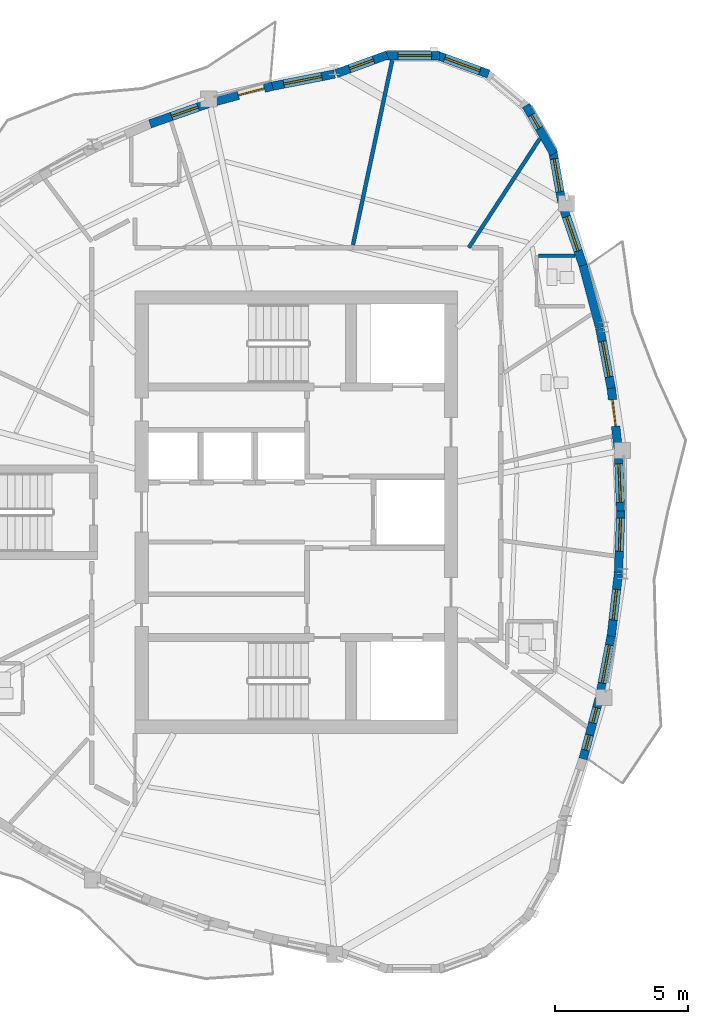
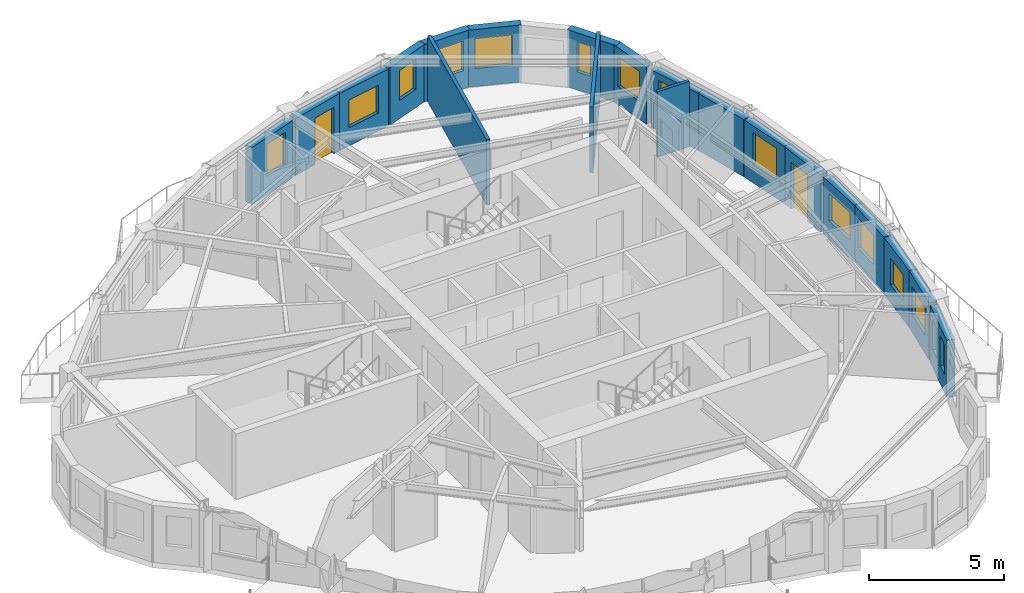
# One storey, part 7 of 12: 20 walls, 15 windows, 2 doors, 17 openings.
"""IFC4 building model written with IfcOpenShell, lengths in metres."""

from ifc_helpers import new_model, si_unit, direction, frame, frame_2d, origin, place, context, subcontext, project, spatial, rectangle, extrude, source, transform, mapped, material, layer, layer_set, type_object, element, fill, save


model = new_model("IFC4")

# Units and contexts
model_context = context("Model", 3, precision=1e-05, world=origin(), true_north=direction((0.0, 1.0)))
body_context = subcontext(model_context, "Body", "Model", "MODEL_VIEW")
ifc_project = project(units=[si_unit("LENGTHUNIT", "METRE"), si_unit("AREAUNIT", "SQUARE_METRE"), si_unit("VOLUMEUNIT", "CUBIC_METRE"), si_unit("PLANEANGLEUNIT", "RADIAN"), si_unit("MASSUNIT", "GRAM", prefix="KILO")], contexts=[model_context])

# Site, building, storey
site_placement = place(None, origin())
site = spatial("IfcSite", under=ifc_project, at=site_placement, CompositionType="ELEMENT")
building_placement = place(site_placement, origin())
building = spatial("IfcBuilding", under=site, at=building_placement, Name="Qafzar Sky-Pleat Residences", CompositionType="ELEMENT")
storey_placement = place(building_placement, frame((0.0, 0.0, 198.800048828125)))
storey = spatial("IfcBuildingStorey", under=building, at=storey_placement, Name="L59", CompositionType="ELEMENT", Elevation=198.800048828125)

# Walls
ifc_material_1 = material(Name="Acoustic gypsum plasterboard partition", Category="gypsum")
ifc_layer_1 = layer(ifc_material_1, 0.14501953125)
ifc_layer_set_1 = layer_set([ifc_layer_1], Name="Acoustic gypsum plasterboard partition")
wall_type_1 = type_object("IfcWallType", Name="PART-UNIT-145", PredefinedType="PARTITIONING", material=ifc_layer_set_1)
wall_1_placement = place(storey_placement, frame((32.477783203125, 36.02294921875, 0.0), z_axis=(0.0, 0.0, 1.0), x_axis=(0.207795571792, 0.978172275391, 0.0)))
element("IfcWall", 1, at=wall_1_placement, inside=storey, type_object=wall_type_1, Name="L59 Partition Wall PART-L59-PW-018", PredefinedType="PARTITIONING", context=body_context, shape_type="SweptSolid", body=[
    extrude(rectangle(XDim=7.070556640625, YDim=0.14501953125, at=frame_2d((3.53515625, 0.0))), origin(), (0.0, 0.0, 1.0), 2.9599609375),
])
wall_2_placement = place(storey_placement, frame((36.820068359375, 35.919921875, 0.0), z_axis=(0.0, 0.0, 1.0), x_axis=(0.546222005159, 0.83764044857, 0.0)))
element("IfcWall", 2, at=wall_2_placement, inside=storey, type_object=wall_type_1, Name="L59 Partition Wall PART-L59-PW-020", PredefinedType="PARTITIONING", context=body_context, shape_type="SweptSolid", body=[
    extrude(rectangle(XDim=4.880859375, YDim=0.14501953125, at=frame_2d((2.4404296875, 0.0))), origin(), (0.0, 0.0, 1.0), 2.9599609375),
])
ifc_material_2 = material(Name="Moisture-resistant gypsum partition", Category="gypsum")
ifc_layer_2 = layer(ifc_material_2, 0.1298828125)
ifc_layer_set_2 = layer_set([ifc_layer_2], Name="Moisture-resistant gypsum partition")
wall_type_2 = type_object("IfcWallType", Name="PART-WET-130", PredefinedType="PARTITIONING", material=ifc_layer_set_2)
wall_3_placement = place(storey_placement, frame((39.43701171875, 35.616943359375, 0.0), z_axis=(0.0, 0.0, 1.0), x_axis=(1.0, 0.0, 0.0)))
element("IfcWall", 3, at=wall_3_placement, inside=storey, type_object=wall_type_2, Name="L59 Partition Wall PART-L59-PW-043", PredefinedType="PARTITIONING", context=body_context, shape_type="SweptSolid", body=[
    extrude(rectangle(XDim=1.36083984375, YDim=0.1298828125, at=frame_2d((0.680419921875, 0.0))), origin(), (0.0, 0.0, 1.0), 2.9599609375),
])

# Wall, openings, windows
ifc_material_3 = material(Name="Precast concrete C40/50 with honed Riyadh limestone", Category="concrete")
ifc_layer_3 = layer(ifc_material_3, 0.320068359375)
ifc_layer_set_3 = layer_set([ifc_layer_3], Name="Precast concrete C40/50 with honed Riyadh limestone")
wall_type_3 = type_object("IfcWallType", Name="WALL-EXT-320", PredefinedType="SOLIDWALL", material=ifc_layer_set_3)
wall_4_placement = place(storey_placement, frame((41.10693359375, 16.748291015625, 0.0), z_axis=(0.0, 0.0, 1.0), x_axis=(0.257000958827, 0.966411148095, 0.0)))
wall_4 = element("IfcWall", 4, at=wall_4_placement, inside=storey, type_object=wall_type_3, Name="L59 Limestone Facade Wall 24", PredefinedType="SOLIDWALL", context=body_context, shape_type="SweptSolid", body=[
    extrude(rectangle(XDim=2.342529296875, YDim=0.320068359375, at=frame_2d((1.17138671875, 0.0))), origin(), (0.0, 0.0, 1.0), 2.579833984375),
])
opening_1_placement = place(wall_4_placement, frame((0.343017578125, 0.0, 0.820068359375)))
opening_1 = element("IfcOpeningElement", 5, at=opening_1_placement, cuts=wall_4, Name="Opening WN-17", PredefinedType="OPENING", context=body_context, shape_type="SweptSolid", body=[
    extrude(rectangle(XDim=0.580078125, YDim=1.35009765625, at=frame_2d((0.2900390625, 0.675048828125))), frame((0.0, 0.169921875, 0.0), z_axis=(0.0, -1.0, 0.0), x_axis=(1.0, 0.0, 0.0)), (0.0, 0.0, 1.0), 0.340087890625),
])
opening_2_placement = place(wall_4_placement, frame((1.3994140625, 0.0, 0.820068359375)))
opening_2 = element("IfcOpeningElement", 6, at=opening_2_placement, cuts=wall_4, Name="Opening WN-17", PredefinedType="OPENING", context=body_context, shape_type="SweptSolid", body=[
    extrude(rectangle(XDim=0.580078125, YDim=1.35009765625, at=frame_2d((0.2900390625, 0.675048828125))), frame((0.0, 0.169921875, 0.0), z_axis=(0.0, -1.0, 0.0), x_axis=(1.0, 0.0, 0.0)), (0.0, 0.0, 1.0), 0.340087890625),
])
ifc_material_4 = material(Name="Solar-control low-E glass in bronze aluminium frame", Category="glass")
window_type_1 = type_object("IfcWindowType", Name="WIN-17", PartitioningType="SINGLE_PANEL", PredefinedType="WINDOW", material=ifc_material_4)
shared_shape_1 = source(origin(), body_context, "Body", "SweptSolid", [
    extrude(rectangle(XDim=0.580078125, YDim=1.35009765625, at=frame_2d((0.2900390625, 0.675048828125))), frame((0.0, 0.030029296875, 0.0), z_axis=(0.0, -1.0, 0.0), x_axis=(1.0, 0.0, 0.0)), (0.0, 0.0, 1.0), 0.06005859375),
])
window_1_placement = place(opening_1_placement, origin())
window_1 = element("IfcWindow", 7, at=window_1_placement, inside=storey, type_object=window_type_1, Name="L59 Punched Facade Window 24", OverallHeight=1.35009765625, OverallWidth=0.580078125, PartitioningType="SINGLE_PANEL", PredefinedType="WINDOW", context=body_context, shape_type="MappedRepresentation", body=[
    mapped(shared_shape_1, transform((0.0, 0.0, 0.0), x_axis=(1.0, 0.0, 0.0), y_axis=(0.0, 1.0, 0.0), z_axis=(0.0, 0.0, 1.0), scale=1.0)),
])
fill(opening_1, window_1)
window_2_placement = place(opening_2_placement, origin())
window_2 = element("IfcWindow", 8, at=window_2_placement, inside=storey, type_object=window_type_1, Name="L59 Punched Facade Window 24-2", OverallHeight=1.35009765625, OverallWidth=0.580078125, PartitioningType="SINGLE_PANEL", PredefinedType="WINDOW", context=body_context, shape_type="MappedRepresentation", body=[
    mapped(shared_shape_1, transform((0.0, 0.0, 0.0), x_axis=(1.0, 0.0, 0.0), y_axis=(0.0, 1.0, 0.0), z_axis=(0.0, 0.0, 1.0), scale=1.0)),
])
fill(opening_2, window_2)

# Wall, opening, window
wall_5_placement = place(storey_placement, frame((41.74658203125, 19.17626953125, 0.0), z_axis=(0.0, 0.0, 1.0), x_axis=(0.186649393072, 0.982426589657, 0.0)))
wall_5 = element("IfcWall", 9, at=wall_5_placement, inside=storey, type_object=wall_type_3, Name="L59 Limestone Facade Wall 25", PredefinedType="SOLIDWALL", context=body_context, shape_type="SweptSolid", body=[
    extrude(rectangle(XDim=2.303466796875, YDim=0.320068359375, at=frame_2d((1.15185546875, 0.0))), origin(), (0.0, 0.0, 1.0), 2.579833984375),
])
opening_3_placement = place(wall_5_placement, frame((0.421875, 0.0, 0.820068359375)))
opening_3 = element("IfcOpeningElement", 10, at=opening_3_placement, cuts=wall_5, Name="Opening WN-15", PredefinedType="OPENING", context=body_context, shape_type="SweptSolid", body=[
    extrude(rectangle(XDim=1.449951171875, YDim=1.25, at=frame_2d((0.72509765625, 0.625))), frame((0.0, 0.169921875, 0.0), z_axis=(0.0, -1.0, 0.0), x_axis=(1.0, 0.0, 0.0)), (0.0, 0.0, 1.0), 0.340087890625),
])
window_type_2 = type_object("IfcWindowType", Name="WIN-15", PartitioningType="SINGLE_PANEL", PredefinedType="WINDOW", material=ifc_material_4)
shared_shape_2 = source(origin(), body_context, "Body", "SweptSolid", [
    extrude(rectangle(XDim=1.449951171875, YDim=1.25, at=frame_2d((0.72509765625, 0.625))), frame((0.0, 0.030029296875, 0.0), z_axis=(0.0, -1.0, 0.0), x_axis=(1.0, 0.0, 0.0)), (0.0, 0.0, 1.0), 0.06005859375),
])
window_3_placement = place(opening_3_placement, origin())
window_3 = element("IfcWindow", 11, at=window_3_placement, inside=storey, type_object=window_type_2, Name="L59 Punched Facade Window 25", OverallHeight=1.25, OverallWidth=1.449951171875, PartitioningType="SINGLE_PANEL", PredefinedType="WINDOW", context=body_context, shape_type="MappedRepresentation", body=[
    mapped(shared_shape_2, transform((0.0, 0.0, 0.0), x_axis=(1.0, 0.0, 0.0), y_axis=(0.0, 1.0, 0.0), z_axis=(0.0, 0.0, 1.0), scale=1.0)),
])
fill(opening_3, window_3)

wall_6_placement = place(storey_placement, frame((42.163330078125, 21.352294921875, 0.0), z_axis=(0.0, 0.0, 1.0), x_axis=(0.113273764078, 0.993563814947, 0.0)))
wall_6 = element("IfcWall", 12, at=wall_6_placement, inside=storey, type_object=wall_type_3, Name="L59 Limestone Facade Wall 26", PredefinedType="SOLIDWALL", context=body_context, shape_type="SweptSolid", body=[
    extrude(rectangle(XDim=2.34716796875, YDim=0.320068359375, at=frame_2d((1.173583984375, 0.0))), origin(), (0.0, 0.0, 1.0), 2.579833984375),
])
opening_4_placement = place(wall_6_placement, frame((0.6083984375, 0.0, 0.820068359375)))
opening_4 = element("IfcOpeningElement", 13, at=opening_4_placement, cuts=wall_6, Name="Opening WN-16", PredefinedType="OPENING", context=body_context, shape_type="SweptSolid", body=[
    extrude(rectangle(XDim=1.14990234375, YDim=1.199951171875, at=frame_2d((0.574951171875, 0.60009765625))), frame((0.0, 0.169921875, 0.0), z_axis=(0.0, -1.0, 0.0), x_axis=(1.0, 0.0, 0.0)), (0.0, 0.0, 1.0), 0.340087890625),
])
window_type_3 = type_object("IfcWindowType", Name="WIN-16", PartitioningType="SINGLE_PANEL", PredefinedType="WINDOW", material=ifc_material_4)
shared_shape_3 = source(origin(), body_context, "Body", "SweptSolid", [
    extrude(rectangle(XDim=1.14990234375, YDim=1.199951171875, at=frame_2d((0.574951171875, 0.60009765625))), frame((0.0, 0.030029296875, 0.0), z_axis=(0.0, -1.0, 0.0), x_axis=(1.0, 0.0, 0.0)), (0.0, 0.0, 1.0), 0.06005859375),
])
window_4_placement = place(opening_4_placement, origin())
window_4 = element("IfcWindow", 14, at=window_4_placement, inside=storey, type_object=window_type_3, Name="L59 Punched Facade Window 26", OverallHeight=1.199951171875, OverallWidth=1.14990234375, PartitioningType="SINGLE_PANEL", PredefinedType="WINDOW", context=body_context, shape_type="MappedRepresentation", body=[
    mapped(shared_shape_3, transform((0.0, 0.0, 0.0), x_axis=(1.0, 0.0, 0.0), y_axis=(0.0, 1.0, 0.0), z_axis=(0.0, 0.0, 1.0), scale=1.0)),
])
fill(opening_4, window_4)

wall_7_placement = place(storey_placement, frame((42.431396484375, 23.712158203125, 0.0), z_axis=(0.0, 0.0, 1.0), x_axis=(0.037979071107, 0.999278534823, 0.0)))
wall_7 = element("IfcWall", 15, at=wall_7_placement, inside=storey, type_object=wall_type_3, Name="L59 Limestone Facade Wall 27", PredefinedType="SOLIDWALL", context=body_context, shape_type="SweptSolid", body=[
    extrude(rectangle(XDim=2.33349609375, YDim=0.320068359375, at=frame_2d((1.166748046875, 0.0))), origin(), (0.0, 0.0, 1.0), 2.579833984375),
])
opening_5_placement = place(wall_7_placement, frame((0.819580078125, 0.0, 0.820068359375)))
opening_5 = element("IfcOpeningElement", 16, at=opening_5_placement, cuts=wall_7, Name="Opening WN-11", PredefinedType="OPENING", context=body_context, shape_type="SweptSolid", body=[
    extrude(rectangle(XDim=1.25, YDim=1.35009765625, at=frame_2d((0.625, 0.675048828125))), frame((0.0, 0.169921875, 0.0), z_axis=(0.0, -1.0, 0.0), x_axis=(1.0, 0.0, 0.0)), (0.0, 0.0, 1.0), 0.340087890625),
])
window_type_4 = type_object("IfcWindowType", Name="WIN-11", PartitioningType="SINGLE_PANEL", PredefinedType="WINDOW", material=ifc_material_4)
shared_shape_4 = source(origin(), body_context, "Body", "SweptSolid", [
    extrude(rectangle(XDim=1.25, YDim=1.35009765625, at=frame_2d((0.625, 0.675048828125))), frame((0.0, 0.030029296875, 0.0), z_axis=(0.0, -1.0, 0.0), x_axis=(1.0, 0.0, 0.0)), (0.0, 0.0, 1.0), 0.06005859375),
])
window_5_placement = place(opening_5_placement, origin())
window_5 = element("IfcWindow", 17, at=window_5_placement, inside=storey, type_object=window_type_4, Name="L59 Punched Facade Window 27-2", OverallHeight=1.35009765625, OverallWidth=1.25, PartitioningType="SINGLE_PANEL", PredefinedType="WINDOW", context=body_context, shape_type="MappedRepresentation", body=[
    mapped(shared_shape_4, transform((0.0, 0.0, 0.0), x_axis=(1.0, 0.0, 0.0), y_axis=(0.0, 1.0, 0.0), z_axis=(0.0, 0.0, 1.0), scale=1.0)),
])
fill(opening_5, window_5)

wall_8_placement = place(storey_placement, frame((42.52001953125, 25.9560546875, 0.0), z_axis=(0.0, 0.0, 1.0), x_axis=(-0.038072753844, 0.999274969873, 0.0)))
wall_8 = element("IfcWall", 18, at=wall_8_placement, inside=storey, type_object=wall_type_3, Name="L59 Limestone Facade Wall 28", PredefinedType="SOLIDWALL", context=body_context, shape_type="SweptSolid", body=[
    extrude(rectangle(XDim=2.263671875, YDim=0.320068359375, at=frame_2d((1.1318359375, 0.0))), origin(), (0.0, 0.0, 1.0), 2.579833984375),
])
opening_6_placement = place(wall_8_placement, frame((0.411865234375, 0.0, 0.820068359375)))
opening_6 = element("IfcOpeningElement", 19, at=opening_6_placement, cuts=wall_8, Name="Opening WN-15", PredefinedType="OPENING", context=body_context, shape_type="SweptSolid", body=[
    extrude(rectangle(XDim=1.449951171875, YDim=1.25, at=frame_2d((0.72509765625, 0.625))), frame((0.0, 0.169921875, 0.0), z_axis=(0.0, -1.0, 0.0), x_axis=(1.0, 0.0, 0.0)), (0.0, 0.0, 1.0), 0.340087890625),
])
window_6_placement = place(opening_6_placement, origin())
window_6 = element("IfcWindow", 20, at=window_6_placement, inside=storey, type_object=window_type_2, Name="L59 Punched Facade Window 28", OverallHeight=1.25, OverallWidth=1.449951171875, PartitioningType="SINGLE_PANEL", PredefinedType="WINDOW", context=body_context, shape_type="MappedRepresentation", body=[
    mapped(shared_shape_2, transform((0.0, 0.0, 0.0), x_axis=(1.0, 0.0, 0.0), y_axis=(0.0, 1.0, 0.0), z_axis=(0.0, 0.0, 1.0), scale=1.0)),
])
fill(opening_6, window_6)

# Wall, opening, door
wall_9_placement = place(storey_placement, frame((42.421142578125, 28.38525390625, 0.0), z_axis=(0.0, 0.0, 1.0), x_axis=(-0.113220012761, 0.993569941529, 0.0)))
wall_9 = element("IfcWall", 21, at=wall_9_placement, inside=storey, type_object=wall_type_3, Name="L59 Limestone Facade Wall 29", PredefinedType="SOLIDWALL", context=body_context, shape_type="SweptSolid", body=[
    extrude(rectangle(XDim=2.277099609375, YDim=0.320068359375, at=frame_2d((1.138671875, 0.0))), origin(), (0.0, 0.0, 1.0), 2.579833984375),
])
opening_7_placement = place(wall_9_placement, frame((0.841796875, 0.0, 0.0)))
opening_7 = element("IfcOpeningElement", 22, at=opening_7_placement, cuts=wall_9, Name="Opening ED-05", PredefinedType="OPENING", context=body_context, shape_type="SweptSolid", body=[
    extrude(rectangle(XDim=1.0, YDim=2.10009765625, at=frame_2d((0.5, 1.050048828125))), frame((0.0, 0.169921875, 0.0), z_axis=(0.0, -1.0, 0.0), x_axis=(1.0, 0.0, 0.0)), (0.0, 0.0, 1.0), 0.340087890625),
])
ifc_material_5 = material(Name="Glazed bronze aluminium door", Category="aluminium")
door_type = type_object("IfcDoorType", Name="DR-BAL-1000", OperationType="NOTDEFINED", PredefinedType="DOOR", material=ifc_material_5)
shared_shape_5 = source(origin(), body_context, "Body", "SweptSolid", [
    extrude(rectangle(XDim=1.0, YDim=2.10009765625, at=frame_2d((0.5, 1.050048828125))), frame((0.0, 0.02490234375, 0.0), z_axis=(0.0, -1.0, 0.0), x_axis=(1.0, 0.0, 0.0)), (0.0, 0.0, 1.0), 0.050048828125),
])
door_1_placement = place(opening_7_placement, origin())
door_1 = element("IfcDoor", 23, at=door_1_placement, inside=storey, type_object=door_type, Name="L59 Glazed Balcony Door 1", OperationType="SINGLE_SWING_LEFT", OverallHeight=2.10009765625, OverallWidth=1.0, PredefinedType="DOOR", context=body_context, shape_type="MappedRepresentation", body=[
    mapped(shared_shape_5, transform((0.0, 0.0, 0.0), x_axis=(1.0, 0.0, 0.0), y_axis=(0.0, 1.0, 0.0), z_axis=(0.0, 0.0, 1.0), scale=1.0)),
])
fill(opening_7, door_1)

# Wall, opening, window
wall_10_placement = place(storey_placement, frame((42.176513671875, 30.560791015625, 0.0), z_axis=(0.0, 0.0, 1.0), x_axis=(-0.186691421418, 0.982418603839, 0.0)))
wall_10 = element("IfcWall", 24, at=wall_10_placement, inside=storey, type_object=wall_type_3, Name="L59 Limestone Facade Wall 30", PredefinedType="SOLIDWALL", context=body_context, shape_type="SweptSolid", body=[
    extrude(rectangle(XDim=2.37353515625, YDim=0.320068359375, at=frame_2d((1.186767578125, 0.0))), origin(), (0.0, 0.0, 1.0), 2.579833984375),
])
opening_8_placement = place(wall_10_placement, frame((0.521728515625, 0.0, 0.820068359375)))
opening_8 = element("IfcOpeningElement", 25, at=opening_8_placement, cuts=wall_10, Name="Opening WN-04", PredefinedType="OPENING", context=body_context, shape_type="SweptSolid", body=[
    extrude(rectangle(XDim=1.35009765625, YDim=1.449951171875, at=frame_2d((0.675048828125, 0.72509765625))), frame((0.0, 0.169921875, 0.0), z_axis=(0.0, -1.0, 0.0), x_axis=(1.0, 0.0, 0.0)), (0.0, 0.0, 1.0), 0.340087890625),
])
window_type_5 = type_object("IfcWindowType", Name="WIN-04", PartitioningType="SINGLE_PANEL", PredefinedType="WINDOW", material=ifc_material_4)
shared_shape_6 = source(origin(), body_context, "Body", "SweptSolid", [
    extrude(rectangle(XDim=1.35009765625, YDim=1.449951171875, at=frame_2d((0.675048828125, 0.72509765625))), frame((0.0, 0.030029296875, 0.0), z_axis=(0.0, -1.0, 0.0), x_axis=(1.0, 0.0, 0.0)), (0.0, 0.0, 1.0), 0.06005859375),
])
window_7_placement = place(opening_8_placement, origin())
window_7 = element("IfcWindow", 26, at=window_7_placement, inside=storey, type_object=window_type_5, Name="L59 Punched Facade Window 30", OverallHeight=1.449951171875, OverallWidth=1.35009765625, PartitioningType="SINGLE_PANEL", PredefinedType="WINDOW", context=body_context, shape_type="MappedRepresentation", body=[
    mapped(shared_shape_6, transform((0.0, 0.0, 0.0), x_axis=(1.0, 0.0, 0.0), y_axis=(0.0, 1.0, 0.0), z_axis=(0.0, 0.0, 1.0), scale=1.0)),
])
fill(opening_8, window_7)

# Wall
wall_11_placement = place(storey_placement, frame((41.72705078125, 32.92041015625, 0.0), z_axis=(0.0, 0.0, 1.0), x_axis=(-0.257057896323, 0.96639600472, 0.0)))
element("IfcWall", 27, at=wall_11_placement, inside=storey, type_object=wall_type_3, Name="L59 Limestone Facade Wall 31", PredefinedType="SOLIDWALL", context=body_context, shape_type="SweptSolid", body=[
    extrude(rectangle(XDim=2.412353515625, YDim=0.320068359375, at=frame_2d((1.2060546875, 0.0))), origin(), (0.0, 0.0, 1.0), 2.579833984375),
])

# Wall, opening, window
wall_12_placement = place(storey_placement, frame((41.13232421875, 35.16845703125, 0.0), z_axis=(0.0, 0.0, 1.0), x_axis=(-0.323654036362, 0.94617549363, 0.0)))
wall_12 = element("IfcWall", 28, at=wall_12_placement, inside=storey, type_object=wall_type_3, Name="L59 Limestone Facade Wall 32", PredefinedType="SOLIDWALL", context=body_context, shape_type="SweptSolid", body=[
    extrude(rectangle(XDim=2.3935546875, YDim=0.320068359375, at=frame_2d((1.19677734375, 0.0))), origin(), (0.0, 0.0, 1.0), 2.579833984375),
])
opening_9_placement = place(wall_12_placement, frame((0.669677734375, 0.0, 0.820068359375)))
opening_9 = element("IfcOpeningElement", 29, at=opening_9_placement, cuts=wall_12, Name="Opening WN-04", PredefinedType="OPENING", context=body_context, shape_type="SweptSolid", body=[
    extrude(rectangle(XDim=1.35009765625, YDim=1.449951171875, at=frame_2d((0.675048828125, 0.72509765625))), frame((0.0, 0.169921875, 0.0), z_axis=(0.0, -1.0, 0.0), x_axis=(1.0, 0.0, 0.0)), (0.0, 0.0, 1.0), 0.340087890625),
])
window_8_placement = place(opening_9_placement, origin())
window_8 = element("IfcWindow", 30, at=window_8_placement, inside=storey, type_object=window_type_5, Name="L59 Punched Facade Window 32-2", OverallHeight=1.449951171875, OverallWidth=1.35009765625, PartitioningType="SINGLE_PANEL", PredefinedType="WINDOW", context=body_context, shape_type="MappedRepresentation", body=[
    mapped(shared_shape_6, transform((0.0, 0.0, 0.0), x_axis=(1.0, 0.0, 0.0), y_axis=(0.0, 1.0, 0.0), z_axis=(0.0, 0.0, 1.0), scale=1.0)),
])
fill(opening_9, window_8)

wall_13_placement = place(storey_placement, frame((40.306884765625, 37.630859375, 0.0), z_axis=(0.0, 0.0, 1.0), x_axis=(-0.173671780312, 0.984803590937, 0.0)))
wall_13 = element("IfcWall", 31, at=wall_13_placement, inside=storey, type_object=wall_type_3, Name="L59 Limestone Facade Wall 33", PredefinedType="SOLIDWALL", context=body_context, shape_type="SweptSolid", body=[
    extrude(rectangle(XDim=1.96240234375, YDim=0.320068359375, at=frame_2d((0.981201171875, 0.0))), origin(), (0.0, 0.0, 1.0), 2.579833984375),
])
opening_10_placement = place(wall_13_placement, frame((0.39111328125, 0.0, 0.820068359375)))
opening_10 = element("IfcOpeningElement", 32, at=opening_10_placement, cuts=wall_13, Name="Opening WN-11", PredefinedType="OPENING", context=body_context, shape_type="SweptSolid", body=[
    extrude(rectangle(XDim=1.25, YDim=1.35009765625, at=frame_2d((0.625, 0.675048828125))), frame((0.0, 0.169921875, 0.0), z_axis=(0.0, -1.0, 0.0), x_axis=(1.0, 0.0, 0.0)), (0.0, 0.0, 1.0), 0.340087890625),
])
window_9_placement = place(opening_10_placement, origin())
window_9 = element("IfcWindow", 33, at=window_9_placement, inside=storey, type_object=window_type_4, Name="L59 Punched Facade Window 33", OverallHeight=1.35009765625, OverallWidth=1.25, PartitioningType="SINGLE_PANEL", PredefinedType="WINDOW", context=body_context, shape_type="MappedRepresentation", body=[
    mapped(shared_shape_4, transform((0.0, 0.0, 0.0), x_axis=(1.0, 0.0, 0.0), y_axis=(0.0, 1.0, 0.0), z_axis=(0.0, 0.0, 1.0), scale=1.0)),
])
fill(opening_10, window_9)

wall_14_placement = place(storey_placement, frame((40.010498046875, 39.44091796875, 0.0), z_axis=(0.0, 0.0, 1.0), x_axis=(-0.49990781971, 0.866078617559, 0.0)))
wall_14 = element("IfcWall", 34, at=wall_14_placement, inside=storey, type_object=wall_type_3, Name="L59 Limestone Facade Wall 34", PredefinedType="SOLIDWALL", context=body_context, shape_type="SweptSolid", body=[
    extrude(rectangle(XDim=2.09033203125, YDim=0.320068359375, at=frame_2d((1.045166015625, 0.0))), origin(), (0.0, 0.0, 1.0), 2.579833984375),
])
opening_11_placement = place(wall_14_placement, frame((1.097412109375, 0.0, 0.820068359375)))
opening_11 = element("IfcOpeningElement", 35, at=opening_11_placement, cuts=wall_14, Name="Opening WN-17", PredefinedType="OPENING", context=body_context, shape_type="SweptSolid", body=[
    extrude(rectangle(XDim=0.580078125, YDim=1.35009765625, at=frame_2d((0.2900390625, 0.675048828125))), frame((0.0, 0.169921875, 0.0), z_axis=(0.0, -1.0, 0.0), x_axis=(1.0, 0.0, 0.0)), (0.0, 0.0, 1.0), 0.340087890625),
])
window_10_placement = place(opening_11_placement, origin())
window_10 = element("IfcWindow", 36, at=window_10_placement, inside=storey, type_object=window_type_1, Name="L59 Punched Facade Window 34-2", OverallHeight=1.35009765625, OverallWidth=0.580078125, PartitioningType="SINGLE_PANEL", PredefinedType="WINDOW", context=body_context, shape_type="MappedRepresentation", body=[
    mapped(shared_shape_1, transform((0.0, 0.0, 0.0), x_axis=(1.0, 0.0, 0.0), y_axis=(0.0, 1.0, 0.0), z_axis=(0.0, 0.0, 1.0), scale=1.0)),
])
fill(opening_11, window_10)

wall_15_placement = place(storey_placement, frame((37.56103515625, 42.4296875, 0.0), z_axis=(0.0, 0.0, 1.0), x_axis=(-0.939711556618, 0.341968113072, 0.0)))
wall_15 = element("IfcWall", 37, at=wall_15_placement, inside=storey, type_object=wall_type_3, Name="L59 Limestone Facade Wall 36", PredefinedType="SOLIDWALL", context=body_context, shape_type="SweptSolid", body=[
    extrude(rectangle(XDim=2.09033203125, YDim=0.320068359375, at=frame_2d((1.045166015625, 0.0))), origin(), (0.0, 0.0, 1.0), 2.579833984375),
])
opening_12_placement = place(wall_15_placement, frame((0.34521484375, 0.0, 0.820068359375)))
opening_12 = element("IfcOpeningElement", 38, at=opening_12_placement, cuts=wall_15, Name="Opening WN-10", PredefinedType="OPENING", context=body_context, shape_type="SweptSolid", body=[
    extrude(rectangle(XDim=1.39990234375, YDim=1.35009765625, at=frame_2d((0.699951171875, 0.675048828125))), frame((0.0, 0.169921875, 0.0), z_axis=(0.0, -1.0, 0.0), x_axis=(1.0, 0.0, 0.0)), (0.0, 0.0, 1.0), 0.340087890625),
])
window_type_6 = type_object("IfcWindowType", Name="WIN-10", PartitioningType="SINGLE_PANEL", PredefinedType="WINDOW", material=ifc_material_4)
shared_shape_7 = source(origin(), body_context, "Body", "SweptSolid", [
    extrude(rectangle(XDim=1.39990234375, YDim=1.35009765625, at=frame_2d((0.699951171875, 0.675048828125))), frame((0.0, 0.030029296875, 0.0), z_axis=(0.0, -1.0, 0.0), x_axis=(1.0, 0.0, 0.0)), (0.0, 0.0, 1.0), 0.06005859375),
])
window_11_placement = place(opening_12_placement, origin())
window_11 = element("IfcWindow", 39, at=window_11_placement, inside=storey, type_object=window_type_6, Name="L59 Punched Facade Window 36", OverallHeight=1.35009765625, OverallWidth=1.39990234375, PartitioningType="SINGLE_PANEL", PredefinedType="WINDOW", context=body_context, shape_type="MappedRepresentation", body=[
    mapped(shared_shape_7, transform((0.0, 0.0, 0.0), x_axis=(1.0, 0.0, 0.0), y_axis=(0.0, 1.0, 0.0), z_axis=(0.0, 0.0, 1.0), scale=1.0)),
])
fill(opening_12, window_11)

wall_16_placement = place(storey_placement, frame((35.72509765625, 43.1220703125, 0.0), z_axis=(0.0, 0.0, 1.0), x_axis=(-1.0, 0.0, 0.0)))
wall_16 = element("IfcWall", 40, at=wall_16_placement, inside=storey, type_object=wall_type_3, Name="L59 Limestone Facade Wall 37", PredefinedType="SOLIDWALL", context=body_context, shape_type="SweptSolid", body=[
    extrude(rectangle(XDim=2.09033203125, YDim=0.320068359375, at=frame_2d((1.045166015625, 0.0))), origin(), (0.0, 0.0, 1.0), 2.579833984375),
])
opening_13_placement = place(wall_16_placement, frame((0.300537109375, 0.0, 0.820068359375)))
opening_13 = element("IfcOpeningElement", 41, at=opening_13_placement, cuts=wall_16, Name="Opening WN-11", PredefinedType="OPENING", context=body_context, shape_type="SweptSolid", body=[
    extrude(rectangle(XDim=1.25, YDim=1.35009765625, at=frame_2d((0.625, 0.675048828125))), frame((0.0, 0.169921875, 0.0), z_axis=(0.0, -1.0, 0.0), x_axis=(1.0, 0.0, 0.0)), (0.0, 0.0, 1.0), 0.340087890625),
])
window_12_placement = place(opening_13_placement, origin())
window_12 = element("IfcWindow", 42, at=window_12_placement, inside=storey, type_object=window_type_4, Name="L59 Punched Facade Window 37", OverallHeight=1.35009765625, OverallWidth=1.25, PartitioningType="SINGLE_PANEL", PredefinedType="WINDOW", context=body_context, shape_type="MappedRepresentation", body=[
    mapped(shared_shape_4, transform((0.0, 0.0, 0.0), x_axis=(1.0, 0.0, 0.0), y_axis=(0.0, 1.0, 0.0), z_axis=(0.0, 0.0, 1.0), scale=1.0)),
])
fill(opening_13, window_12)

wall_17_placement = place(storey_placement, frame((33.76318359375, 43.14453125, 0.0), z_axis=(0.0, 0.0, 1.0), x_axis=(-0.939691662178, -0.342022777067, 0.0)))
wall_17 = element("IfcWall", 43, at=wall_17_placement, inside=storey, type_object=wall_type_3, Name="L59 Limestone Facade Wall 38", PredefinedType="SOLIDWALL", context=body_context, shape_type="SweptSolid", body=[
    extrude(rectangle(XDim=2.0322265625, YDim=0.320068359375, at=frame_2d((1.01611328125, 0.0))), origin(), (0.0, 0.0, 1.0), 2.579833984375),
])
opening_14_placement = place(wall_17_placement, frame((0.55126953125, 0.0, 0.820068359375)))
opening_14 = element("IfcOpeningElement", 44, at=opening_14_placement, cuts=wall_17, Name="Opening WN-12", PredefinedType="OPENING", context=body_context, shape_type="SweptSolid", body=[
    extrude(rectangle(XDim=0.949951171875, YDim=1.35009765625, at=frame_2d((0.47509765625, 0.675048828125))), frame((0.0, 0.169921875, 0.0), z_axis=(0.0, -1.0, 0.0), x_axis=(1.0, 0.0, 0.0)), (0.0, 0.0, 1.0), 0.340087890625),
])
window_type_7 = type_object("IfcWindowType", Name="WIN-12", PartitioningType="SINGLE_PANEL", PredefinedType="WINDOW", material=ifc_material_4)
shared_shape_8 = source(origin(), body_context, "Body", "SweptSolid", [
    extrude(rectangle(XDim=0.949951171875, YDim=1.35009765625, at=frame_2d((0.47509765625, 0.675048828125))), frame((0.0, 0.030029296875, 0.0), z_axis=(0.0, -1.0, 0.0), x_axis=(1.0, 0.0, 0.0)), (0.0, 0.0, 1.0), 0.06005859375),
])
window_13_placement = place(opening_14_placement, origin())
window_13 = element("IfcWindow", 45, at=window_13_placement, inside=storey, type_object=window_type_7, Name="L59 Punched Facade Window 38", OverallHeight=1.35009765625, OverallWidth=0.949951171875, PartitioningType="SINGLE_PANEL", PredefinedType="WINDOW", context=body_context, shape_type="MappedRepresentation", body=[
    mapped(shared_shape_8, transform((0.0, 0.0, 0.0), x_axis=(1.0, 0.0, 0.0), y_axis=(0.0, 1.0, 0.0), z_axis=(0.0, 0.0, 1.0), scale=1.0)),
])
fill(opening_14, window_13)

wall_18_placement = place(storey_placement, frame((31.791259765625, 42.43212890625, 0.0), z_axis=(0.0, 0.0, 1.0), x_axis=(-0.981230743763, -0.192837308358, 0.0)))
wall_18 = element("IfcWall", 46, at=wall_18_placement, inside=storey, type_object=wall_type_3, Name="L59 Limestone Facade Wall 39", PredefinedType="SOLIDWALL", context=body_context, shape_type="SweptSolid", body=[
    extrude(rectangle(XDim=2.463623046875, YDim=0.320068359375, at=frame_2d((1.23193359375, 0.0))), origin(), (0.0, 0.0, 1.0), 2.579833984375),
])
opening_15_placement = place(wall_18_placement, frame((0.496826171875, 0.0, 0.820068359375)))
opening_15 = element("IfcOpeningElement", 47, at=opening_15_placement, cuts=wall_18, Name="Opening WN-15", PredefinedType="OPENING", context=body_context, shape_type="SweptSolid", body=[
    extrude(rectangle(XDim=1.449951171875, YDim=1.25, at=frame_2d((0.72509765625, 0.625))), frame((0.0, 0.169921875, 0.0), z_axis=(0.0, -1.0, 0.0), x_axis=(1.0, 0.0, 0.0)), (0.0, 0.0, 1.0), 0.340087890625),
])
window_14_placement = place(opening_15_placement, origin())
window_14 = element("IfcWindow", 48, at=window_14_placement, inside=storey, type_object=window_type_2, Name="L59 Punched Facade Window 39", OverallHeight=1.25, OverallWidth=1.449951171875, PartitioningType="SINGLE_PANEL", PredefinedType="WINDOW", context=body_context, shape_type="MappedRepresentation", body=[
    mapped(shared_shape_2, transform((0.0, 0.0, 0.0), x_axis=(1.0, 0.0, 0.0), y_axis=(0.0, 1.0, 0.0), z_axis=(0.0, 0.0, 1.0), scale=1.0)),
])
fill(opening_15, window_14)

# Wall, opening, door
wall_19_placement = place(storey_placement, frame((29.458740234375, 41.976806640625, 0.0), z_axis=(0.0, 0.0, 1.0), x_axis=(-0.965462644558, -0.260541516774, 0.0)))
wall_19 = element("IfcWall", 49, at=wall_19_placement, inside=storey, type_object=wall_type_3, Name="L59 Limestone Facade Wall 40", PredefinedType="SOLIDWALL", context=body_context, shape_type="SweptSolid", body=[
    extrude(rectangle(XDim=2.342529296875, YDim=0.320068359375, at=frame_2d((1.17138671875, 0.0))), origin(), (0.0, 0.0, 1.0), 2.579833984375),
])
opening_16_placement = place(wall_19_placement, frame((0.31982421875, 0.0, 0.0)))
opening_16 = element("IfcOpeningElement", 50, at=opening_16_placement, cuts=wall_19, Name="Opening ED-05", PredefinedType="OPENING", context=body_context, shape_type="SweptSolid", body=[
    extrude(rectangle(XDim=1.0, YDim=2.10009765625, at=frame_2d((0.5, 1.050048828125))), frame((0.0, 0.169921875, 0.0), z_axis=(0.0, -1.0, 0.0), x_axis=(1.0, 0.0, 0.0)), (0.0, 0.0, 1.0), 0.340087890625),
])
door_2_placement = place(opening_16_placement, origin())
door_2 = element("IfcDoor", 51, at=door_2_placement, inside=storey, type_object=door_type, Name="L59 Glazed Balcony Door 2", OperationType="SINGLE_SWING_LEFT", OverallHeight=2.10009765625, OverallWidth=1.0, PredefinedType="DOOR", context=body_context, shape_type="MappedRepresentation", body=[
    mapped(shared_shape_5, transform((0.0, 0.0, 0.0), x_axis=(1.0, 0.0, 0.0), y_axis=(0.0, 1.0, 0.0), z_axis=(0.0, 0.0, 1.0), scale=1.0)),
])
fill(opening_16, door_2)

# Wall, opening, window
wall_20_placement = place(storey_placement, frame((27.036376953125, 41.31689453125, 0.0), z_axis=(0.0, 0.0, 1.0), x_axis=(-0.944115832513, -0.329613857108, 0.0)))
wall_20 = element("IfcWall", 52, at=wall_20_placement, inside=storey, type_object=wall_type_3, Name="L59 Limestone Facade Wall 41", PredefinedType="SOLIDWALL", context=body_context, shape_type="SweptSolid", body=[
    extrude(rectangle(XDim=2.303466796875, YDim=0.320068359375, at=frame_2d((1.15185546875, 0.0))), origin(), (0.0, 0.0, 1.0), 2.579833984375),
])
opening_17_placement = place(wall_20_placement, frame((0.39111328125, 0.0, 0.820068359375)))
opening_17 = element("IfcOpeningElement", 53, at=opening_17_placement, cuts=wall_20, Name="Opening WN-06", PredefinedType="OPENING", context=body_context, shape_type="SweptSolid", body=[
    extrude(rectangle(XDim=1.050048828125, YDim=1.449951171875, at=frame_2d((0.52490234375, 0.72509765625))), frame((0.0, 0.169921875, 0.0), z_axis=(0.0, -1.0, 0.0), x_axis=(1.0, 0.0, 0.0)), (0.0, 0.0, 1.0), 0.340087890625),
])
window_type_8 = type_object("IfcWindowType", Name="WIN-06", PartitioningType="SINGLE_PANEL", PredefinedType="WINDOW", material=ifc_material_4)
shared_shape_9 = source(origin(), body_context, "Body", "SweptSolid", [
    extrude(rectangle(XDim=1.050048828125, YDim=1.449951171875, at=frame_2d((0.52490234375, 0.72509765625))), frame((0.0, 0.030029296875, 0.0), z_axis=(0.0, -1.0, 0.0), x_axis=(1.0, 0.0, 0.0)), (0.0, 0.0, 1.0), 0.06005859375),
])
window_15_placement = place(opening_17_placement, origin())
window_15 = element("IfcWindow", 54, at=window_15_placement, inside=storey, type_object=window_type_8, Name="L59 Punched Facade Window 41", OverallHeight=1.449951171875, OverallWidth=1.050048828125, PartitioningType="SINGLE_PANEL", PredefinedType="WINDOW", context=body_context, shape_type="MappedRepresentation", body=[
    mapped(shared_shape_9, transform((0.0, 0.0, 0.0), x_axis=(1.0, 0.0, 0.0), y_axis=(0.0, 1.0, 0.0), z_axis=(0.0, 0.0, 1.0), scale=1.0)),
])
fill(opening_17, window_15)

save(model, "model.ifc")
